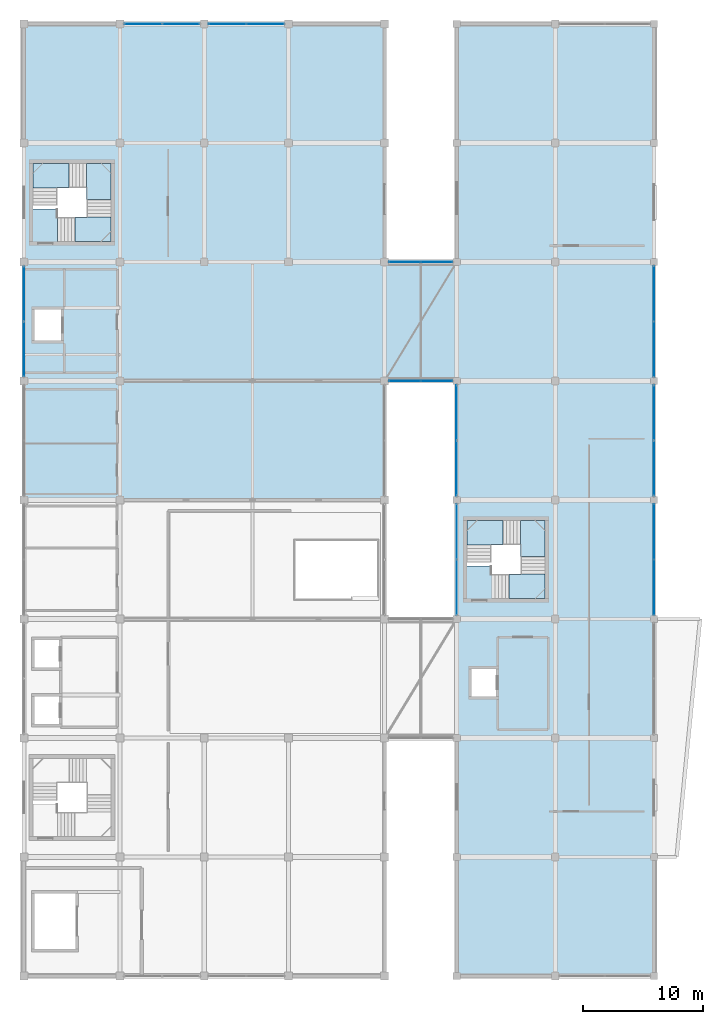
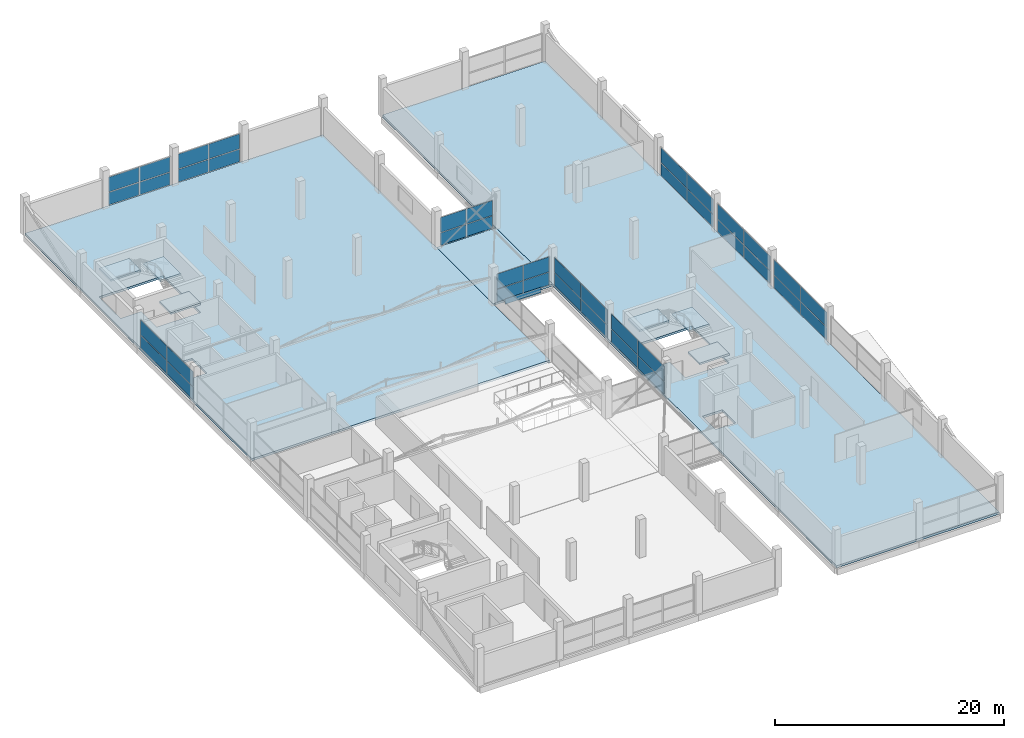
# One storey, part 53 of 66: 42 plates, 9 slabs, 12 elements without a shape of their own.
"""IFC4 building model written with IfcOpenShell, lengths in metres."""

from ifc_helpers import new_model, si_unit, direction, frame, origin, origin_2d, place, context, subcontext, project, spatial, polyline, rectangle, outline, extrude, material, layer, layer_set, type_object, element, aggregate, save


model = new_model("IFC4")

# Units and contexts
model_context = context("Model", 3, precision=1e-05, world=origin(), true_north=direction((0.0, 1.0)))
body_context = subcontext(model_context, "Body", "Model", "MODEL_VIEW")
ifc_project = project(units=[si_unit("LENGTHUNIT", "METRE"), si_unit("AREAUNIT", "SQUARE_METRE"), si_unit("VOLUMEUNIT", "CUBIC_METRE"), si_unit("PLANEANGLEUNIT", "RADIAN"), si_unit("MASSUNIT", "GRAM", prefix="KILO")], contexts=[model_context])

# Site, building, storey
site_placement = place(None, origin())
site = spatial("IfcSite", under=ifc_project, at=site_placement, CompositionType="ELEMENT")
building_placement = place(site_placement, origin())
building = spatial("IfcBuilding", under=site, at=building_placement, Name="Sillaruma Civic Art Gallery", CompositionType="ELEMENT")
storey_placement = place(building_placement, frame((0.0, 0.0, 62.219970703125)))
storey = spatial("IfcBuildingStorey", under=building, at=storey_placement, Name="L12", CompositionType="ELEMENT", Elevation=62.219970703125)

# Plates
ifc_material_1 = material(Name="Anodised Zinc-Aluminium Alloy", Category="aluminium")
ifc_layer_1 = layer(ifc_material_1, 0.044921875, Name="Anodised Zinc-Aluminium Alloy")
ifc_layer_set_1 = layer_set([ifc_layer_1], Name="Anodised Zinc-Aluminium Alloy")
plate_type_1 = type_object("IfcPlateType", Name="PLT-FAS-01", PredefinedType="USERDEFINED", material=ifc_layer_set_1)
for number, where, z_axis, x_axis, name in (
    (1, (95.0, 69.300048828125, -0.469970703125), (0.0, 0.0, 1.0), (1.0, 0.0, 0.0), "Sky-Bridge Fascia Cassette (BRG-N:L12:S)"),
    (2, (95.0, 79.199951171875, -0.469970703125), (0.0, 0.0, 1.0), (1.0, 0.0, 0.0), "Sky-Bridge Fascia Cassette (BRG-N:L12:N)"),
):
    element("IfcPlate", number, at=place(storey_placement, frame(where, z_axis=z_axis, x_axis=x_axis)), inside=storey, type_object=plate_type_1, Name=name, ObjectType="FASCIA CASSETTE", PredefinedType="USERDEFINED", context=body_context, shape_type="SweptSolid", body=[
        extrude(rectangle(XDim=3.60009765625, YDim=0.044921875, at=origin_2d()), origin(), (0.0, 0.0, 1.0), 0.580078125),
    ])

# Curtain wall, plates
ifc_material_2 = material(Name="Thermally Broken Extruded Aluminium 6063-T6", Category="aluminium")
ifc_layer_2 = layer(ifc_material_2, 0.139892578125, Name="Thermally Broken Extruded Aluminium 6063-T6")
ifc_layer_set_2 = layer_set([ifc_layer_2], Name="Thermally Broken Extruded Aluminium 6063-T6")
curtain_wall_type_1 = type_object("IfcCurtainWallType", Name="CW-UNI-98", PredefinedType="NOTDEFINED", material=ifc_layer_set_2)
curtain_wall_1_placement = place(storey_placement, origin())
curtain_wall_1 = element("IfcCurtainWall", 3, at=curtain_wall_1_placement, inside=storey, type_object=curtain_wall_type_1, Name="Unitised Curtain Wall CW-98 (CW-L12-EBW-4)", PredefinedType="NOTDEFINED")
ifc_material_3 = material(Name="Low-E UV-Filtered Laminated Insulating Glass", Category="glass")
ifc_layer_3 = layer(ifc_material_3, 0.028076171875, Name="Low-E UV-Filtered Laminated Insulating Glass")
ifc_layer_set_3 = layer_set([ifc_layer_3], Name="Low-E UV-Filtered Laminated Insulating Glass")
plate_type_2 = type_object("IfcPlateType", Name="PNL-GLZ-28", PredefinedType="CURTAIN_PANEL", material=ifc_layer_set_3)
plate_1_placement = place(storey_placement, frame((98.0, 52.139892578125, 0.06005859375), z_axis=(0.0, 0.0, 1.0), x_axis=(0.0, 1.0, 0.0)))
plate_1 = element("IfcPlate", 4, at=plate_1_placement, type_object=plate_type_2, Name="CW-98 panel 1.1", PredefinedType="CURTAIN_PANEL", context=body_context, shape_type="SweptSolid", body=[
    extrude(rectangle(XDim=4.56005859375, YDim=0.028076171875, at=origin_2d()), origin(), (0.0, 0.0, 1.0), 1.3359375),
])
plate_2_placement = place(storey_placement, frame((98.0, 52.139892578125, 1.4560546875), z_axis=(0.0, 0.0, 1.0), x_axis=(0.0, 1.0, 0.0)))
plate_2 = element("IfcPlate", 5, at=plate_2_placement, type_object=plate_type_2, Name="CW-98 panel 1.2", PredefinedType="CURTAIN_PANEL", context=body_context, shape_type="SweptSolid", body=[
    extrude(rectangle(XDim=4.56005859375, YDim=0.028076171875, at=origin_2d()), origin(), (0.0, 0.0, 1.0), 1.583984375),
])
plate_3_placement = place(storey_placement, frame((98.0, 56.760009765625, 0.06005859375), z_axis=(0.0, 0.0, 1.0), x_axis=(0.0, 1.0, 0.0)))
plate_3 = element("IfcPlate", 6, at=plate_3_placement, type_object=plate_type_2, Name="CW-98 panel 2.1", PredefinedType="CURTAIN_PANEL", context=body_context, shape_type="SweptSolid", body=[
    extrude(rectangle(XDim=4.56005859375, YDim=0.028076171875, at=origin_2d()), origin(), (0.0, 0.0, 1.0), 1.3359375),
])
plate_4_placement = place(storey_placement, frame((98.0, 56.760009765625, 1.4560546875), z_axis=(0.0, 0.0, 1.0), x_axis=(0.0, 1.0, 0.0)))
plate_4 = element("IfcPlate", 7, at=plate_4_placement, type_object=plate_type_2, Name="CW-98 panel 2.2", PredefinedType="CURTAIN_PANEL", context=body_context, shape_type="SweptSolid", body=[
    extrude(rectangle(XDim=4.56005859375, YDim=0.028076171875, at=origin_2d()), origin(), (0.0, 0.0, 1.0), 1.583984375),
])
aggregate(curtain_wall_1, [plate_1, plate_2, plate_3, plate_4])

# Curtain wall, plate
ifc_layer_4 = layer(ifc_material_2, 0.159912109375, Name="Thermally Broken Extruded Aluminium 6063-T6")
ifc_layer_set_4 = layer_set([ifc_layer_4], Name="Thermally Broken Extruded Aluminium 6063-T6")
curtain_wall_type_2 = type_object("IfcCurtainWallType", Name="CW-UNI-104", PredefinedType="NOTDEFINED", material=ifc_layer_set_4)
curtain_wall_2_placement = place(storey_placement, origin())
curtain_wall_2 = element("IfcCurtainWall", 8, at=curtain_wall_2_placement, inside=storey, type_object=curtain_wall_type_2, Name="Unitised Curtain Wall CW-104 (CW-BRG-N-L12-S)", PredefinedType="NOTDEFINED")
ifc_layer_5 = layer(ifc_material_3, 0.030029296875, Name="Low-E UV-Filtered Laminated Insulating Glass")
ifc_layer_set_5 = layer_set([ifc_layer_5], Name="Low-E UV-Filtered Laminated Insulating Glass")
plate_type_3 = type_object("IfcPlateType", Name="PNL-GLZ-30", PredefinedType="CURTAIN_PANEL", material=ifc_layer_set_5)
plate_5_placement = place(storey_placement, frame((96.340087890625, 69.300048828125, 0.06005859375), z_axis=(0.0, 0.0, 1.0), x_axis=(1.0, 0.0, 0.0)))
plate_5 = element("IfcPlate", 9, at=plate_5_placement, type_object=plate_type_3, Name="CW-104 panel 2.1", PredefinedType="CURTAIN_PANEL", context=body_context, shape_type="SweptSolid", body=[
    extrude(rectangle(XDim=2.590087890625, YDim=0.030029296875, at=origin_2d()), origin(), (0.0, 0.0, 1.0), 1.3359375),
])

curtain_wall_3_placement = place(storey_placement, origin())
curtain_wall_3 = element("IfcCurtainWall", 10, at=curtain_wall_3_placement, inside=storey, type_object=curtain_wall_type_2, Name="Unitised Curtain Wall CW-104 (CW-BRG-N-L12-N)", PredefinedType="NOTDEFINED")
plate_6_placement = place(storey_placement, frame((96.340087890625, 79.199951171875, 0.06005859375), z_axis=(0.0, 0.0, 1.0), x_axis=(1.0, 0.0, 0.0)))
plate_6 = element("IfcPlate", 11, at=plate_6_placement, type_object=plate_type_3, Name="CW-104 panel 2.1", PredefinedType="CURTAIN_PANEL", context=body_context, shape_type="SweptSolid", body=[
    extrude(rectangle(XDim=2.590087890625, YDim=0.030029296875, at=origin_2d()), origin(), (0.0, 0.0, 1.0), 1.3359375),
])

# Curtain wall, plates
ifc_layer_6 = layer(ifc_material_2, 0.159912109375, Name="Thermally Broken Extruded Aluminium 6063-T6")
ifc_layer_set_6 = layer_set([ifc_layer_6], Name="Thermally Broken Extruded Aluminium 6063-T6")
curtain_wall_type_3 = type_object("IfcCurtainWallType", Name="CW-UNI-96", PredefinedType="NOTDEFINED", material=ifc_layer_set_6)
curtain_wall_4_placement = place(storey_placement, origin())
curtain_wall_4 = element("IfcCurtainWall", 12, at=curtain_wall_4_placement, inside=storey, type_object=curtain_wall_type_3, Name="Unitised Curtain Wall CW-96 (CW-L12-WBN-3)", PredefinedType="NOTDEFINED")
ifc_layer_7 = layer(ifc_material_3, 0.031982421875, Name="Low-E UV-Filtered Laminated Insulating Glass")
ifc_layer_set_7 = layer_set([ifc_layer_7], Name="Low-E UV-Filtered Laminated Insulating Glass")
plate_type_4 = type_object("IfcPlateType", Name="PNL-GLZ-32", PredefinedType="CURTAIN_PANEL", material=ifc_layer_set_7)
plate_7_placement = place(storey_placement, frame((78.9287109375, 99.0, 0.06494140625), z_axis=(0.0, 0.0, 1.0), x_axis=(1.0, 0.0, 0.0)))
plate_7 = element("IfcPlate", 13, at=plate_7_placement, type_object=plate_type_4, Name="CW-96 panel 1.1", PredefinedType="CURTAIN_PANEL", context=body_context, shape_type="SweptSolid", body=[
    extrude(rectangle(XDim=3.077392578125, YDim=0.031982421875, at=origin_2d()), origin(), (0.0, 0.0, 1.0), 1.32861328125),
])
plate_8_placement = place(storey_placement, frame((78.9287109375, 99.0, 1.45849609375), z_axis=(0.0, 0.0, 1.0), x_axis=(1.0, 0.0, 0.0)))
plate_8 = element("IfcPlate", 14, at=plate_8_placement, type_object=plate_type_4, Name="CW-96 panel 1.2", PredefinedType="CURTAIN_PANEL", context=body_context, shape_type="SweptSolid", body=[
    extrude(rectangle(XDim=3.077392578125, YDim=0.031982421875, at=origin_2d()), origin(), (0.0, 0.0, 1.0), 1.576416015625),
])
plate_9_placement = place(storey_placement, frame((82.0712890625, 99.0, 0.06494140625), z_axis=(0.0, 0.0, 1.0), x_axis=(1.0, 0.0, 0.0)))
plate_9 = element("IfcPlate", 15, at=plate_9_placement, type_object=plate_type_4, Name="CW-96 panel 2.1", PredefinedType="CURTAIN_PANEL", context=body_context, shape_type="SweptSolid", body=[
    extrude(rectangle(XDim=3.077392578125, YDim=0.031982421875, at=origin_2d()), origin(), (0.0, 0.0, 1.0), 1.32861328125),
])
plate_10_placement = place(storey_placement, frame((82.0712890625, 99.0, 1.45849609375), z_axis=(0.0, 0.0, 1.0), x_axis=(1.0, 0.0, 0.0)))
plate_10 = element("IfcPlate", 16, at=plate_10_placement, type_object=plate_type_4, Name="CW-96 panel 2.2", PredefinedType="CURTAIN_PANEL", context=body_context, shape_type="SweptSolid", body=[
    extrude(rectangle(XDim=3.077392578125, YDim=0.031982421875, at=origin_2d()), origin(), (0.0, 0.0, 1.0), 1.576416015625),
])
aggregate(curtain_wall_4, [plate_7, plate_8, plate_9, plate_10])

ifc_layer_8 = layer(ifc_material_2, 0.159912109375, Name="Thermally Broken Extruded Aluminium 6063-T6")
ifc_layer_set_8 = layer_set([ifc_layer_8], Name="Thermally Broken Extruded Aluminium 6063-T6")
curtain_wall_type_4 = type_object("IfcCurtainWallType", Name="CW-UNI-102", PredefinedType="NOTDEFINED", material=ifc_layer_set_8)
curtain_wall_5_placement = place(storey_placement, origin())
curtain_wall_5 = element("IfcCurtainWall", 17, at=curtain_wall_5_placement, inside=storey, type_object=curtain_wall_type_4, Name="Unitised Curtain Wall CW-102 (CW-L12-EBE-6)", PredefinedType="NOTDEFINED")
plate_11_placement = place(storey_placement, frame((114.39990234375, 71.941162109375, 0.06494140625), z_axis=(0.0, 0.0, 1.0), x_axis=(0.0, 1.0, 0.0)))
plate_11 = element("IfcPlate", 18, at=plate_11_placement, type_object=plate_type_4, Name="CW-102 panel 1.1", PredefinedType="CURTAIN_PANEL", context=body_context, shape_type="SweptSolid", body=[
    extrude(rectangle(XDim=4.552490234375, YDim=0.031982421875, at=origin_2d()), origin(), (0.0, 0.0, 1.0), 1.32861328125),
])
plate_12_placement = place(storey_placement, frame((114.39990234375, 71.941162109375, 1.45849609375), z_axis=(0.0, 0.0, 1.0), x_axis=(0.0, 1.0, 0.0)))
plate_12 = element("IfcPlate", 19, at=plate_12_placement, type_object=plate_type_4, Name="CW-102 panel 1.2", PredefinedType="CURTAIN_PANEL", context=body_context, shape_type="SweptSolid", body=[
    extrude(rectangle(XDim=4.552490234375, YDim=0.031982421875, at=origin_2d()), origin(), (0.0, 0.0, 1.0), 1.576416015625),
])
plate_13_placement = place(storey_placement, frame((114.39990234375, 76.558837890625, 0.06494140625), z_axis=(0.0, 0.0, 1.0), x_axis=(0.0, 1.0, 0.0)))
plate_13 = element("IfcPlate", 20, at=plate_13_placement, type_object=plate_type_4, Name="CW-102 panel 2.1", PredefinedType="CURTAIN_PANEL", context=body_context, shape_type="SweptSolid", body=[
    extrude(rectangle(XDim=4.552490234375, YDim=0.031982421875, at=origin_2d()), origin(), (0.0, 0.0, 1.0), 1.32861328125),
])
plate_14_placement = place(storey_placement, frame((114.39990234375, 76.558837890625, 1.45849609375), z_axis=(0.0, 0.0, 1.0), x_axis=(0.0, 1.0, 0.0)))
plate_14 = element("IfcPlate", 21, at=plate_14_placement, type_object=plate_type_4, Name="CW-102 panel 2.2", PredefinedType="CURTAIN_PANEL", context=body_context, shape_type="SweptSolid", body=[
    extrude(rectangle(XDim=4.552490234375, YDim=0.031982421875, at=origin_2d()), origin(), (0.0, 0.0, 1.0), 1.576416015625),
])
aggregate(curtain_wall_5, [plate_11, plate_12, plate_13, plate_14])

ifc_layer_9 = layer(ifc_material_2, 0.139892578125, Name="Thermally Broken Extruded Aluminium 6063-T6")
ifc_layer_set_9 = layer_set([ifc_layer_9], Name="Thermally Broken Extruded Aluminium 6063-T6")
curtain_wall_type_5 = type_object("IfcCurtainWallType", Name="CW-UNI-99", PredefinedType="NOTDEFINED", material=ifc_layer_set_9)
curtain_wall_6_placement = place(storey_placement, origin())
curtain_wall_6 = element("IfcCurtainWall", 22, at=curtain_wall_6_placement, inside=storey, type_object=curtain_wall_type_5, Name="Unitised Curtain Wall CW-99 (CW-L12-EBE-4)", PredefinedType="NOTDEFINED")
ifc_layer_10 = layer(ifc_material_3, 0.033935546875, Name="Low-E UV-Filtered Laminated Insulating Glass")
ifc_layer_set_10 = layer_set([ifc_layer_10], Name="Low-E UV-Filtered Laminated Insulating Glass")
plate_type_5 = type_object("IfcPlateType", Name="PNL-GLZ-34", PredefinedType="CURTAIN_PANEL", material=ifc_layer_set_10)
plate_15_placement = place(storey_placement, frame((114.39990234375, 52.139892578125, 0.06494140625), z_axis=(0.0, 0.0, 1.0), x_axis=(0.0, 1.0, 0.0)))
plate_15 = element("IfcPlate", 23, at=plate_15_placement, type_object=plate_type_5, Name="CW-99 panel 1.1", PredefinedType="CURTAIN_PANEL", context=body_context, shape_type="SweptSolid", body=[
    extrude(rectangle(XDim=4.56005859375, YDim=0.033935546875, at=origin_2d()), origin(), (0.0, 0.0, 1.0), 1.32861328125),
])
plate_16_placement = place(storey_placement, frame((114.39990234375, 52.139892578125, 1.45849609375), z_axis=(0.0, 0.0, 1.0), x_axis=(0.0, 1.0, 0.0)))
plate_16 = element("IfcPlate", 24, at=plate_16_placement, type_object=plate_type_5, Name="CW-99 panel 1.2", PredefinedType="CURTAIN_PANEL", context=body_context, shape_type="SweptSolid", body=[
    extrude(rectangle(XDim=4.56005859375, YDim=0.033935546875, at=origin_2d()), origin(), (0.0, 0.0, 1.0), 1.576416015625),
])
plate_17_placement = place(storey_placement, frame((114.39990234375, 56.760009765625, 0.06494140625), z_axis=(0.0, 0.0, 1.0), x_axis=(0.0, 1.0, 0.0)))
plate_17 = element("IfcPlate", 25, at=plate_17_placement, type_object=plate_type_5, Name="CW-99 panel 2.1", PredefinedType="CURTAIN_PANEL", context=body_context, shape_type="SweptSolid", body=[
    extrude(rectangle(XDim=4.56005859375, YDim=0.033935546875, at=origin_2d()), origin(), (0.0, 0.0, 1.0), 1.32861328125),
])
plate_18_placement = place(storey_placement, frame((114.39990234375, 56.760009765625, 1.45849609375), z_axis=(0.0, 0.0, 1.0), x_axis=(0.0, 1.0, 0.0)))
plate_18 = element("IfcPlate", 26, at=plate_18_placement, type_object=plate_type_5, Name="CW-99 panel 2.2", PredefinedType="CURTAIN_PANEL", context=body_context, shape_type="SweptSolid", body=[
    extrude(rectangle(XDim=4.56005859375, YDim=0.033935546875, at=origin_2d()), origin(), (0.0, 0.0, 1.0), 1.576416015625),
])
aggregate(curtain_wall_6, [plate_15, plate_16, plate_17, plate_18])

ifc_layer_11 = layer(ifc_material_2, 0.179931640625, Name="Thermally Broken Extruded Aluminium 6063-T6")
ifc_layer_set_11 = layer_set([ifc_layer_11], Name="Thermally Broken Extruded Aluminium 6063-T6")
curtain_wall_type_6 = type_object("IfcCurtainWallType", Name="CW-UNI-95", PredefinedType="NOTDEFINED", material=ifc_layer_set_11)
curtain_wall_7_placement = place(storey_placement, origin())
curtain_wall_7 = element("IfcCurtainWall", 27, at=curtain_wall_7_placement, inside=storey, type_object=curtain_wall_type_6, Name="Unitised Curtain Wall CW-95 (CW-L12-WBN-2)", PredefinedType="NOTDEFINED")
ifc_layer_12 = layer(ifc_material_3, 0.035888671875, Name="Low-E UV-Filtered Laminated Insulating Glass")
ifc_layer_set_12 = layer_set([ifc_layer_12], Name="Low-E UV-Filtered Laminated Insulating Glass")
plate_type_6 = type_object("IfcPlateType", Name="PNL-GLZ-36", PredefinedType="CURTAIN_PANEL", material=ifc_layer_set_12)
plate_19_placement = place(storey_placement, frame((71.929931640625, 99.0, 0.06982421875), z_axis=(0.0, 0.0, 1.0), x_axis=(1.0, 0.0, 0.0)))
plate_19 = element("IfcPlate", 28, at=plate_19_placement, type_object=plate_type_6, Name="CW-95 panel 1.1", PredefinedType="CURTAIN_PANEL", context=body_context, shape_type="SweptSolid", body=[
    extrude(rectangle(XDim=3.070068359375, YDim=0.035888671875, at=origin_2d()), origin(), (0.0, 0.0, 1.0), 1.321044921875),
])
plate_20_placement = place(storey_placement, frame((71.929931640625, 99.0, 1.4609375), z_axis=(0.0, 0.0, 1.0), x_axis=(1.0, 0.0, 0.0)))
plate_20 = element("IfcPlate", 29, at=plate_20_placement, type_object=plate_type_6, Name="CW-95 panel 1.2", PredefinedType="CURTAIN_PANEL", context=body_context, shape_type="SweptSolid", body=[
    extrude(rectangle(XDim=3.070068359375, YDim=0.035888671875, at=origin_2d()), origin(), (0.0, 0.0, 1.0), 1.569091796875),
])
plate_21_placement = place(storey_placement, frame((75.070068359375, 99.0, 0.06982421875), z_axis=(0.0, 0.0, 1.0), x_axis=(1.0, 0.0, 0.0)))
plate_21 = element("IfcPlate", 30, at=plate_21_placement, type_object=plate_type_6, Name="CW-95 panel 2.1", PredefinedType="CURTAIN_PANEL", context=body_context, shape_type="SweptSolid", body=[
    extrude(rectangle(XDim=3.070068359375, YDim=0.035888671875, at=origin_2d()), origin(), (0.0, 0.0, 1.0), 1.321044921875),
])
plate_22_placement = place(storey_placement, frame((75.070068359375, 99.0, 1.4609375), z_axis=(0.0, 0.0, 1.0), x_axis=(1.0, 0.0, 0.0)))
plate_22 = element("IfcPlate", 31, at=plate_22_placement, type_object=plate_type_6, Name="CW-95 panel 2.2", PredefinedType="CURTAIN_PANEL", context=body_context, shape_type="SweptSolid", body=[
    extrude(rectangle(XDim=3.070068359375, YDim=0.035888671875, at=origin_2d()), origin(), (0.0, 0.0, 1.0), 1.569091796875),
])
aggregate(curtain_wall_7, [plate_19, plate_20, plate_21, plate_22])

ifc_layer_13 = layer(ifc_material_2, 0.179931640625, Name="Thermally Broken Extruded Aluminium 6063-T6")
ifc_layer_set_13 = layer_set([ifc_layer_13], Name="Thermally Broken Extruded Aluminium 6063-T6")
curtain_wall_type_7 = type_object("IfcCurtainWallType", Name="CW-UNI-101", PredefinedType="NOTDEFINED", material=ifc_layer_set_13)
curtain_wall_8_placement = place(storey_placement, origin())
curtain_wall_8 = element("IfcCurtainWall", 32, at=curtain_wall_8_placement, inside=storey, type_object=curtain_wall_type_7, Name="Unitised Curtain Wall CW-101 (CW-L12-EBE-5)", PredefinedType="NOTDEFINED")
plate_23_placement = place(storey_placement, frame((114.39990234375, 62.04248046875, 0.06982421875), z_axis=(0.0, 0.0, 1.0), x_axis=(0.0, 1.0, 0.0)))
plate_23 = element("IfcPlate", 33, at=plate_23_placement, type_object=plate_type_6, Name="CW-101 panel 1.1", PredefinedType="CURTAIN_PANEL", context=body_context, shape_type="SweptSolid", body=[
    extrude(rectangle(XDim=4.544921875, YDim=0.035888671875, at=origin_2d()), origin(), (0.0, 0.0, 1.0), 1.321044921875),
])
plate_24_placement = place(storey_placement, frame((114.39990234375, 62.04248046875, 1.4609375), z_axis=(0.0, 0.0, 1.0), x_axis=(0.0, 1.0, 0.0)))
plate_24 = element("IfcPlate", 34, at=plate_24_placement, type_object=plate_type_6, Name="CW-101 panel 1.2", PredefinedType="CURTAIN_PANEL", context=body_context, shape_type="SweptSolid", body=[
    extrude(rectangle(XDim=4.544921875, YDim=0.035888671875, at=origin_2d()), origin(), (0.0, 0.0, 1.0), 1.569091796875),
])
plate_25_placement = place(storey_placement, frame((114.39990234375, 66.657470703125, 0.06982421875), z_axis=(0.0, 0.0, 1.0), x_axis=(0.0, 1.0, 0.0)))
plate_25 = element("IfcPlate", 35, at=plate_25_placement, type_object=plate_type_6, Name="CW-101 panel 2.1", PredefinedType="CURTAIN_PANEL", context=body_context, shape_type="SweptSolid", body=[
    extrude(rectangle(XDim=4.544921875, YDim=0.035888671875, at=origin_2d()), origin(), (0.0, 0.0, 1.0), 1.321044921875),
])
plate_26_placement = place(storey_placement, frame((114.39990234375, 66.657470703125, 1.4609375), z_axis=(0.0, 0.0, 1.0), x_axis=(0.0, 1.0, 0.0)))
plate_26 = element("IfcPlate", 36, at=plate_26_placement, type_object=plate_type_6, Name="CW-101 panel 2.2", PredefinedType="CURTAIN_PANEL", context=body_context, shape_type="SweptSolid", body=[
    extrude(rectangle(XDim=4.544921875, YDim=0.035888671875, at=origin_2d()), origin(), (0.0, 0.0, 1.0), 1.569091796875),
])
aggregate(curtain_wall_8, [plate_23, plate_24, plate_25, plate_26])

ifc_layer_14 = layer(ifc_material_2, 0.179931640625, Name="Thermally Broken Extruded Aluminium 6063-T6")
ifc_layer_set_14 = layer_set([ifc_layer_14], Name="Thermally Broken Extruded Aluminium 6063-T6")
curtain_wall_type_8 = type_object("IfcCurtainWallType", Name="CW-UNI-92", PredefinedType="NOTDEFINED", material=ifc_layer_set_14)
curtain_wall_9_placement = place(storey_placement, origin())
curtain_wall_9 = element("IfcCurtainWall", 37, at=curtain_wall_9_placement, inside=storey, type_object=curtain_wall_type_8, Name="Unitised Curtain Wall CW-92 (CW-L12-WBW-6)", PredefinedType="NOTDEFINED")
ifc_layer_15 = layer(ifc_material_3, 0.0400390625, Name="Low-E UV-Filtered Laminated Insulating Glass")
ifc_layer_set_15 = layer_set([ifc_layer_15], Name="Low-E UV-Filtered Laminated Insulating Glass")
plate_type_7 = type_object("IfcPlateType", Name="PNL-GLZ-40", PredefinedType="CURTAIN_PANEL", material=ifc_layer_set_15)
plate_27_placement = place(storey_placement, frame((62.0, 71.955078125, 0.06494140625), z_axis=(0.0, 0.0, 1.0), x_axis=(0.0, 1.0, 0.0)))
plate_27 = element("IfcPlate", 38, at=plate_27_placement, type_object=plate_type_7, Name="CW-92 panel 1.1", PredefinedType="CURTAIN_PANEL", context=body_context, shape_type="SweptSolid", body=[
    extrude(rectangle(XDim=4.52001953125, YDim=0.0400390625, at=origin_2d()), origin(), (0.0, 0.0, 1.0), 1.32861328125),
])
plate_28_placement = place(storey_placement, frame((62.0, 71.955078125, 1.45849609375), z_axis=(0.0, 0.0, 1.0), x_axis=(0.0, 1.0, 0.0)))
plate_28 = element("IfcPlate", 39, at=plate_28_placement, type_object=plate_type_7, Name="CW-92 panel 1.2", PredefinedType="CURTAIN_PANEL", context=body_context, shape_type="SweptSolid", body=[
    extrude(rectangle(XDim=4.52001953125, YDim=0.0400390625, at=origin_2d()), origin(), (0.0, 0.0, 1.0), 1.576416015625),
])
plate_29_placement = place(storey_placement, frame((62.0, 76.544921875, 0.06494140625), z_axis=(0.0, 0.0, 1.0), x_axis=(0.0, 1.0, 0.0)))
plate_29 = element("IfcPlate", 40, at=plate_29_placement, type_object=plate_type_7, Name="CW-92 panel 2.1", PredefinedType="CURTAIN_PANEL", context=body_context, shape_type="SweptSolid", body=[
    extrude(rectangle(XDim=4.52001953125, YDim=0.0400390625, at=origin_2d()), origin(), (0.0, 0.0, 1.0), 1.32861328125),
])
plate_30_placement = place(storey_placement, frame((62.0, 76.544921875, 1.45849609375), z_axis=(0.0, 0.0, 1.0), x_axis=(0.0, 1.0, 0.0)))
plate_30 = element("IfcPlate", 41, at=plate_30_placement, type_object=plate_type_7, Name="CW-92 panel 2.2", PredefinedType="CURTAIN_PANEL", context=body_context, shape_type="SweptSolid", body=[
    extrude(rectangle(XDim=4.52001953125, YDim=0.0400390625, at=origin_2d()), origin(), (0.0, 0.0, 1.0), 1.576416015625),
])
aggregate(curtain_wall_9, [plate_27, plate_28, plate_29, plate_30])

ifc_layer_16 = layer(ifc_material_2, 0.179931640625, Name="Thermally Broken Extruded Aluminium 6063-T6")
ifc_layer_set_16 = layer_set([ifc_layer_16], Name="Thermally Broken Extruded Aluminium 6063-T6")
curtain_wall_type_9 = type_object("IfcCurtainWallType", Name="CW-UNI-100", PredefinedType="NOTDEFINED", material=ifc_layer_set_16)
curtain_wall_10_placement = place(storey_placement, origin())
curtain_wall_10 = element("IfcCurtainWall", 42, at=curtain_wall_10_placement, inside=storey, type_object=curtain_wall_type_9, Name="Unitised Curtain Wall CW-100 (CW-L12-EBW-5)", PredefinedType="NOTDEFINED")
plate_31_placement = place(storey_placement, frame((98.0, 62.04248046875, 0.06494140625), z_axis=(0.0, 0.0, 1.0), x_axis=(0.0, 1.0, 0.0)))
plate_31 = element("IfcPlate", 43, at=plate_31_placement, type_object=plate_type_7, Name="CW-100 panel 1.1", PredefinedType="CURTAIN_PANEL", context=body_context, shape_type="SweptSolid", body=[
    extrude(rectangle(XDim=4.544921875, YDim=0.0400390625, at=origin_2d()), origin(), (0.0, 0.0, 1.0), 1.32861328125),
])
plate_32_placement = place(storey_placement, frame((98.0, 62.04248046875, 1.45849609375), z_axis=(0.0, 0.0, 1.0), x_axis=(0.0, 1.0, 0.0)))
plate_32 = element("IfcPlate", 44, at=plate_32_placement, type_object=plate_type_7, Name="CW-100 panel 1.2", PredefinedType="CURTAIN_PANEL", context=body_context, shape_type="SweptSolid", body=[
    extrude(rectangle(XDim=4.544921875, YDim=0.0400390625, at=origin_2d()), origin(), (0.0, 0.0, 1.0), 1.576416015625),
])
plate_33_placement = place(storey_placement, frame((98.0, 66.657470703125, 0.06494140625), z_axis=(0.0, 0.0, 1.0), x_axis=(0.0, 1.0, 0.0)))
plate_33 = element("IfcPlate", 45, at=plate_33_placement, type_object=plate_type_7, Name="CW-100 panel 2.1", PredefinedType="CURTAIN_PANEL", context=body_context, shape_type="SweptSolid", body=[
    extrude(rectangle(XDim=4.544921875, YDim=0.0400390625, at=origin_2d()), origin(), (0.0, 0.0, 1.0), 1.32861328125),
])
plate_34_placement = place(storey_placement, frame((98.0, 66.657470703125, 1.45849609375), z_axis=(0.0, 0.0, 1.0), x_axis=(0.0, 1.0, 0.0)))
plate_34 = element("IfcPlate", 46, at=plate_34_placement, type_object=plate_type_7, Name="CW-100 panel 2.2", PredefinedType="CURTAIN_PANEL", context=body_context, shape_type="SweptSolid", body=[
    extrude(rectangle(XDim=4.544921875, YDim=0.0400390625, at=origin_2d()), origin(), (0.0, 0.0, 1.0), 1.576416015625),
])
aggregate(curtain_wall_10, [plate_31, plate_32, plate_33, plate_34])

# Plate
ifc_layer_17 = layer(ifc_material_1, 0.030029296875, Name="Anodised Zinc-Aluminium Alloy")
ifc_layer_set_17 = layer_set([ifc_layer_17], Name="Anodised Zinc-Aluminium Alloy")
plate_type_8 = type_object("IfcPlateType", Name="PNL-SPD-30", PredefinedType="CURTAIN_PANEL", material=ifc_layer_set_17)
plate_35_placement = place(storey_placement, frame((93.68505859375, 69.300048828125, 0.06005859375), z_axis=(0.0, 0.0, 1.0), x_axis=(1.0, 0.0, 0.0)))
plate_35 = element("IfcPlate", 47, at=plate_35_placement, type_object=plate_type_8, Name="CW-104 panel 1.1", PredefinedType="CURTAIN_PANEL", context=body_context, shape_type="SweptSolid", body=[
    extrude(rectangle(XDim=2.590087890625, YDim=0.030029296875, at=origin_2d()), origin(), (0.0, 0.0, 1.0), 1.3359375),
])

plate_36_placement = place(storey_placement, frame((93.68505859375, 69.300048828125, 1.4560546875), z_axis=(0.0, 0.0, 1.0), x_axis=(1.0, 0.0, 0.0)))
plate_36 = element("IfcPlate", 48, at=plate_36_placement, type_object=plate_type_8, Name="CW-104 panel 1.2", PredefinedType="CURTAIN_PANEL", context=body_context, shape_type="SweptSolid", body=[
    extrude(rectangle(XDim=2.590087890625, YDim=0.030029296875, at=origin_2d()), origin(), (0.0, 0.0, 1.0), 1.583984375),
])

plate_37_placement = place(storey_placement, frame((96.340087890625, 69.300048828125, 1.4560546875), z_axis=(0.0, 0.0, 1.0), x_axis=(1.0, 0.0, 0.0)))
plate_37 = element("IfcPlate", 49, at=plate_37_placement, type_object=plate_type_8, Name="CW-104 panel 2.2", PredefinedType="CURTAIN_PANEL", context=body_context, shape_type="SweptSolid", body=[
    extrude(rectangle(XDim=2.590087890625, YDim=0.030029296875, at=origin_2d()), origin(), (0.0, 0.0, 1.0), 1.583984375),
])

aggregate(curtain_wall_2, [plate_35, plate_36, plate_5, plate_37])

plate_38_placement = place(storey_placement, frame((93.68505859375, 79.199951171875, 0.06005859375), z_axis=(0.0, 0.0, 1.0), x_axis=(1.0, 0.0, 0.0)))
plate_38 = element("IfcPlate", 50, at=plate_38_placement, type_object=plate_type_8, Name="CW-104 panel 1.1", PredefinedType="CURTAIN_PANEL", context=body_context, shape_type="SweptSolid", body=[
    extrude(rectangle(XDim=2.590087890625, YDim=0.030029296875, at=origin_2d()), origin(), (0.0, 0.0, 1.0), 1.3359375),
])

plate_39_placement = place(storey_placement, frame((93.68505859375, 79.199951171875, 1.4560546875), z_axis=(0.0, 0.0, 1.0), x_axis=(1.0, 0.0, 0.0)))
plate_39 = element("IfcPlate", 51, at=plate_39_placement, type_object=plate_type_8, Name="CW-104 panel 1.2", PredefinedType="CURTAIN_PANEL", context=body_context, shape_type="SweptSolid", body=[
    extrude(rectangle(XDim=2.590087890625, YDim=0.030029296875, at=origin_2d()), origin(), (0.0, 0.0, 1.0), 1.583984375),
])

plate_40_placement = place(storey_placement, frame((96.340087890625, 79.199951171875, 1.4560546875), z_axis=(0.0, 0.0, 1.0), x_axis=(1.0, 0.0, 0.0)))
plate_40 = element("IfcPlate", 52, at=plate_40_placement, type_object=plate_type_8, Name="CW-104 panel 2.2", PredefinedType="CURTAIN_PANEL", context=body_context, shape_type="SweptSolid", body=[
    extrude(rectangle(XDim=2.590087890625, YDim=0.030029296875, at=origin_2d()), origin(), (0.0, 0.0, 1.0), 1.583984375),
])

aggregate(curtain_wall_3, [plate_38, plate_39, plate_6, plate_40])

# Slabs
ifc_material_4 = material(Name="Concrete H35 (35 MPa)", Category="concrete")
ifc_layer_18 = layer(ifc_material_4, 0.2099609375, Name="Concrete H35 (35 MPa)")
ifc_layer_set_18 = layer_set([ifc_layer_18], Name="Concrete H35 (35 MPa)")
slab_type_1 = type_object("IfcSlabType", Name="SLB-FLR-210", PredefinedType="FLOOR", material=ifc_layer_set_18)
slab_1_placement = place(storey_placement, frame((0.0, 0.0, -0.2099609375)))
element("IfcSlab", 53, at=slab_1_placement, inside=storey, type_object=slab_type_1, Name="Floor Slab SF-210 (SLB-L12-BRGN)", PredefinedType="FLOOR", context=body_context, shape_type="SweptSolid", body=[
    extrude(outline(polyline([(92.0, 69.300048828125), (98.0, 69.300048828125), (98.0, 79.199951171875), (92.0, 79.199951171875), (92.0, 69.300048828125)])), origin(), (0.0, 0.0, 1.0), 0.2099609375),
])
ifc_layer_19 = layer(ifc_material_4, 0.22998046875, Name="Concrete H35 (35 MPa)")
ifc_layer_set_19 = layer_set([ifc_layer_19], Name="Concrete H35 (35 MPa)")
slab_type_2 = type_object("IfcSlabType", Name="SLB-FLR-230", PredefinedType="FLOOR", material=ifc_layer_set_19)
slab_2_placement = place(storey_placement, frame((0.0, 0.0, -0.22998046875)))
element("IfcSlab", 54, at=slab_2_placement, inside=storey, type_object=slab_type_2, Name="Floor Slab SF-230 (SLB-L12-WESTN)", PredefinedType="FLOOR", context=body_context, shape_type="SweptSolid", body=[
    extrude(outline(polyline([(62.0, 59.39990234375), (92.0, 59.39990234375), (92.0, 99.0), (62.0, 99.0), (62.0, 59.39990234375)]), holes=[polyline([(64.81494140625, 80.909912109375), (69.239990234375, 80.909912109375), (69.239990234375, 87.389892578125), (62.760009765625, 87.389892578125), (62.760009765625, 83.625), (64.81494140625, 83.625), (64.81494140625, 80.909912109375)]), polyline([(62.89990234375, 72.64990234375), (65.10009765625, 72.64990234375), (65.10009765625, 75.25), (62.89990234375, 75.25), (62.89990234375, 72.64990234375)])]), origin(), (0.0, 0.0, 1.0), 0.22998046875),
])
slab_3_placement = place(storey_placement, frame((0.0, 0.0, -0.22998046875)))
element("IfcSlab", 55, at=slab_3_placement, inside=storey, type_object=slab_type_2, Name="Floor Slab SF-230 (SLB-L12-EAST)", PredefinedType="FLOOR", context=body_context, shape_type="SweptSolid", body=[
    extrude(outline(polyline([(98.0, 19.800048828125), (114.39990234375, 19.800048828125), (114.39990234375, 99.0), (98.0, 99.0), (98.0, 19.800048828125)]), holes=[polyline([(100.9150390625, 51.2099609375), (105.340087890625, 51.2099609375), (105.340087890625, 57.68994140625), (98.860107421875, 57.68994140625), (98.860107421875, 53.925048828125), (100.9150390625, 53.925048828125), (100.9150390625, 51.2099609375)]), polyline([(99.25, 43.050048828125), (101.25, 43.050048828125), (101.25, 45.35009765625), (99.25, 45.35009765625), (99.25, 43.050048828125)])]), origin(), (0.0, 0.0, 1.0), 0.22998046875),
])

# Stair, slabs
stair_type = type_object("IfcStairType", Name="STR-4F-24", PredefinedType="USERDEFINED", material=ifc_material_4)
stair_1_placement = place(storey_placement, origin())
stair_1 = element("IfcStair", 56, at=stair_1_placement, inside=storey, type_object=stair_type, Name="Protected Exit Stair ST-02 (West Bar North) (L12)", ObjectType="THREE_RETURN_STAIR", PredefinedType="USERDEFINED")
ifc_layer_20 = layer(ifc_material_4, 0.199951171875, Name="Concrete H35 (35 MPa)")
ifc_layer_set_20 = layer_set([ifc_layer_20], Name="Concrete H35 (35 MPa)")
slab_type_3 = type_object("IfcSlabType", Name="SLB-LND-200", PredefinedType="LANDING", material=ifc_layer_set_20)
slab_4_placement = place(storey_placement, frame((0.0, 0.0, 0.820068359375)))
slab_4 = element("IfcSlab", 57, at=slab_4_placement, type_object=slab_type_3, Name="ST-02 landing 1", PredefinedType="LANDING", context=body_context, shape_type="SweptSolid", body=[
    extrude(outline(polyline([(66.25, 80.909912109375), (69.239990234375, 80.909912109375), (69.239990234375, 82.949951171875), (66.25, 82.949951171875), (66.25, 80.909912109375)])), origin(), (0.0, 0.0, 1.0), 0.199951171875),
])
slab_5_placement = place(storey_placement, frame((0.0, 0.0, 1.840087890625)))
slab_5 = element("IfcSlab", 58, at=slab_5_placement, type_object=slab_type_3, Name="ST-02 landing 2", PredefinedType="LANDING", context=body_context, shape_type="SweptSolid", body=[
    extrude(outline(polyline([(67.199951171875, 84.39990234375), (69.239990234375, 84.39990234375), (69.239990234375, 87.389892578125), (67.199951171875, 87.389892578125), (67.199951171875, 84.39990234375)])), origin(), (0.0, 0.0, 1.0), 0.199951171875),
])
slab_6_placement = place(storey_placement, frame((0.0, 0.0, 2.860107421875)))
slab_6 = element("IfcSlab", 59, at=slab_6_placement, type_object=slab_type_3, Name="ST-02 landing 3", PredefinedType="LANDING", context=body_context, shape_type="SweptSolid", body=[
    extrude(outline(polyline([(62.760009765625, 85.35009765625), (65.75, 85.35009765625), (65.75, 87.389892578125), (62.760009765625, 87.389892578125), (62.760009765625, 85.35009765625)])), origin(), (0.0, 0.0, 1.0), 0.199951171875),
])
aggregate(stair_1, [slab_4, slab_5, slab_6])

stair_2_placement = place(storey_placement, origin())
stair_2 = element("IfcStair", 60, at=stair_2_placement, inside=storey, type_object=stair_type, Name="Protected Exit Stair ST-04 (East Bar) (L12)", ObjectType="THREE_RETURN_STAIR", PredefinedType="USERDEFINED")
slab_7_placement = place(storey_placement, frame((0.0, 0.0, 0.820068359375)))
slab_7 = element("IfcSlab", 61, at=slab_7_placement, type_object=slab_type_3, Name="ST-04 landing 1", PredefinedType="LANDING", context=body_context, shape_type="SweptSolid", body=[
    extrude(outline(polyline([(102.35009765625, 51.2099609375), (105.340087890625, 51.2099609375), (105.340087890625, 53.25), (102.35009765625, 53.25), (102.35009765625, 51.2099609375)])), origin(), (0.0, 0.0, 1.0), 0.199951171875),
])
slab_8_placement = place(storey_placement, frame((0.0, 0.0, 1.840087890625)))
slab_8 = element("IfcSlab", 62, at=slab_8_placement, type_object=slab_type_3, Name="ST-04 landing 2", PredefinedType="LANDING", context=body_context, shape_type="SweptSolid", body=[
    extrude(outline(polyline([(103.300048828125, 54.699951171875), (105.340087890625, 54.699951171875), (105.340087890625, 57.68994140625), (103.300048828125, 57.68994140625), (103.300048828125, 54.699951171875)])), origin(), (0.0, 0.0, 1.0), 0.199951171875),
])
slab_9_placement = place(storey_placement, frame((0.0, 0.0, 2.860107421875)))
slab_9 = element("IfcSlab", 63, at=slab_9_placement, type_object=slab_type_3, Name="ST-04 landing 3", PredefinedType="LANDING", context=body_context, shape_type="SweptSolid", body=[
    extrude(outline(polyline([(98.860107421875, 55.64990234375), (101.85009765625, 55.64990234375), (101.85009765625, 57.68994140625), (98.860107421875, 57.68994140625), (98.860107421875, 55.64990234375)])), origin(), (0.0, 0.0, 1.0), 0.199951171875),
])
aggregate(stair_2, [slab_7, slab_8, slab_9])

save(model, "model.ifc")
